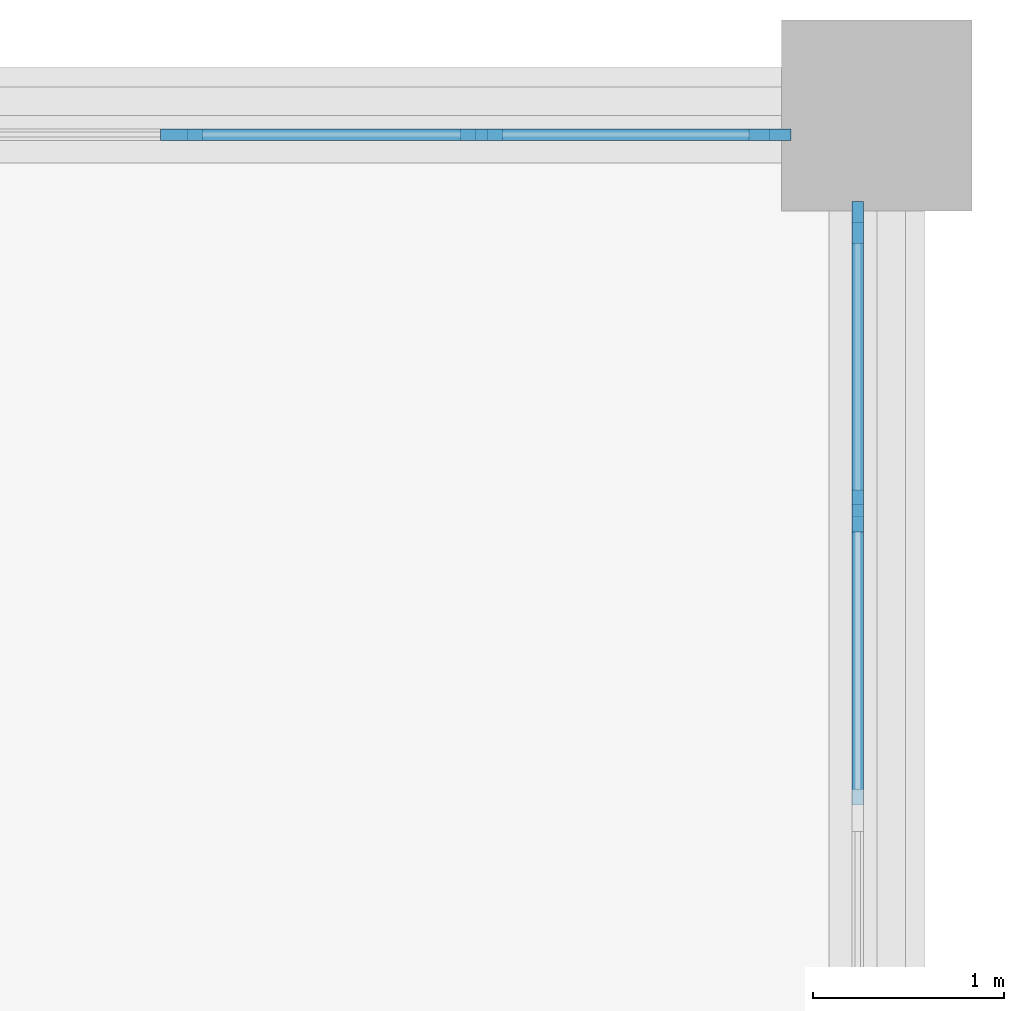
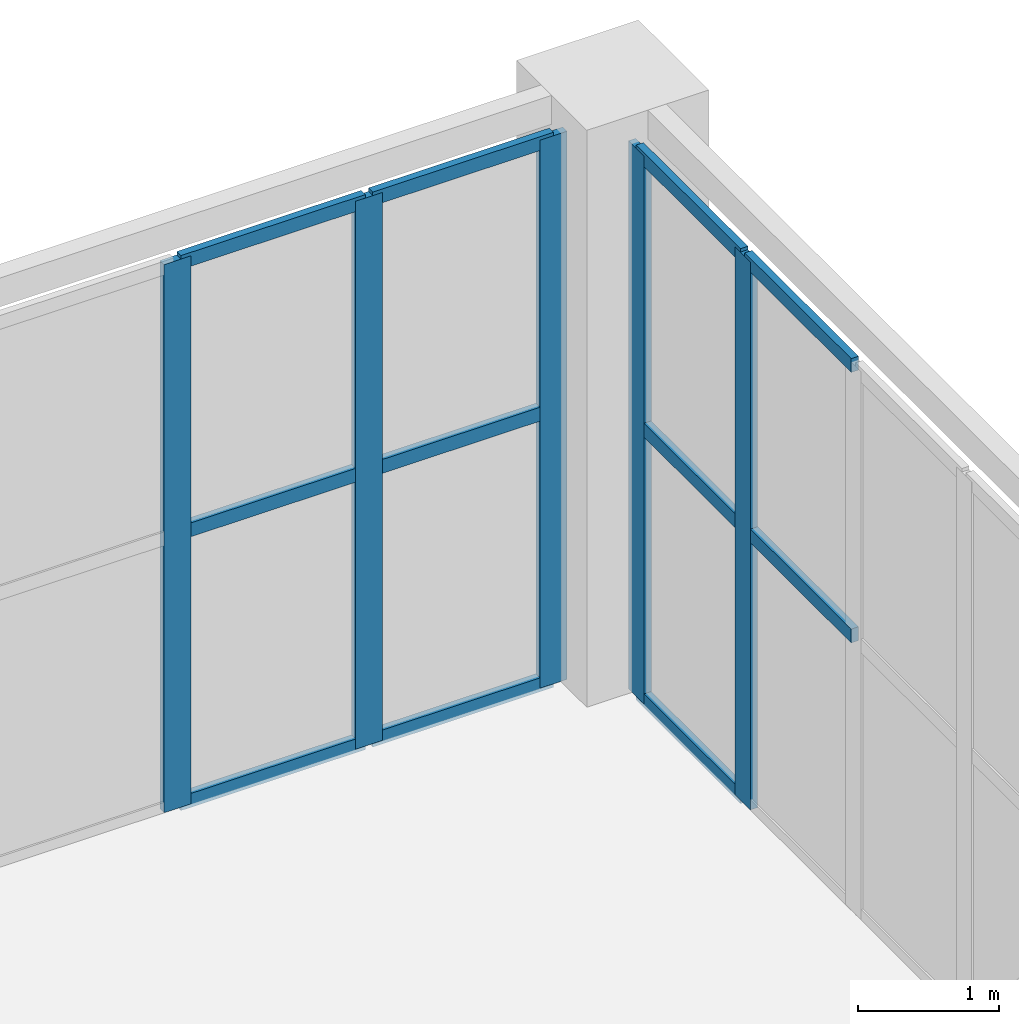
# One storey, part 41 of 69: 16 members, 2 elements without a shape of their own.
"""IFC4 building model written with IfcOpenShell, lengths in metres."""

from ifc_helpers import new_model, si_unit, direction, frame, origin, origin_2d, place, context, subcontext, project, spatial, rectangle, extrude, material, layer, layer_set, material_profile, profile_set, type_object, element, aggregate, save


model = new_model("IFC4")

# Units and contexts
model_context = context("Model", 3, precision=1e-05, world=origin(), true_north=direction((0.0, 1.0)))
body_context = subcontext(model_context, "Body", "Model", "MODEL_VIEW")
ifc_project = project(units=[si_unit("LENGTHUNIT", "METRE"), si_unit("AREAUNIT", "SQUARE_METRE"), si_unit("VOLUMEUNIT", "CUBIC_METRE"), si_unit("PLANEANGLEUNIT", "RADIAN"), si_unit("MASSUNIT", "GRAM", prefix="KILO")], contexts=[model_context])

# Site, building, storey
site_placement = place(None, origin())
site = spatial("IfcSite", under=ifc_project, at=site_placement, CompositionType="ELEMENT")
building_placement = place(site_placement, origin())
building = spatial("IfcBuilding", under=site, at=building_placement, Name="Lilac Gate Convention Centre", CompositionType="ELEMENT")
storey_placement = place(building_placement, frame((0.0, 0.0, 12.0)))
storey = spatial("IfcBuildingStorey", under=building, at=storey_placement, Name="L02", CompositionType="ELEMENT", Elevation=12.0)

# Curtain wall, members
ifc_material_1 = material(Name="Aluminium framed double glazing", Category="aluminium")
ifc_layer = layer(ifc_material_1, 0.199951171875)
ifc_layer_set = layer_set([ifc_layer], Name="Aluminium framed double glazing")
curtain_wall_type = type_object("IfcCurtainWallType", Name="Unitised curtain wall 1500", PredefinedType="NOTDEFINED", material=ifc_layer_set)
curtain_wall_1_placement = place(storey_placement, origin())
curtain_wall_1 = element("IfcCurtainWall", 1, at=curtain_wall_1_placement, inside=storey, type_object=curtain_wall_type, Name="Curtain wall E L02 2", PredefinedType="NOTDEFINED")
ifc_material_2 = material(Name="Aluminium alloy 6063", Category="aluminium")
ifc_material_profile_1 = material_profile(ifc_material_2, rectangle(XDim=0.06005859375, YDim=0.219970703125, at=origin_2d()), Name="Curtain wall mullion 60 x 220")
ifc_profile_set_1 = profile_set([ifc_material_profile_1], Name="Aluminium alloy 6063")
member_type_1 = type_object("IfcMemberType", Name="Curtain wall mullion 60 x 220", PredefinedType="MULLION", material=ifc_profile_set_1)
member_1_placement = place(storey_placement, frame((89.89990234375, 243.928466796875, 0.0), z_axis=(0.0, 0.0, 1.0), x_axis=(-1.0, 0.0, 0.0)))
member_1 = element("IfcMember", 2, at=member_1_placement, type_object=member_type_1, Name="CW mullion 7", PredefinedType="MULLION", context=body_context, shape_type="SweptSolid", body=[
    extrude(rectangle(XDim=0.06005859375, YDim=0.219970703125, at=origin_2d()), origin(), (0.0, 0.0, 1.0), 4.75),
])
member_2_placement = place(storey_placement, frame((89.89990234375, 245.43994140625, 0.0), z_axis=(0.0, 0.0, 1.0), x_axis=(-1.0, 0.0, 0.0)))
member_2 = element("IfcMember", 3, at=member_2_placement, type_object=member_type_1, Name="CW mullion 8", PredefinedType="MULLION", context=body_context, shape_type="SweptSolid", body=[
    extrude(rectangle(XDim=0.06005859375, YDim=0.219970703125, at=origin_2d()), origin(), (0.0, 0.0, 1.0), 4.75),
])

curtain_wall_2_placement = place(storey_placement, origin())
curtain_wall_2 = element("IfcCurtainWall", 4, at=curtain_wall_2_placement, inside=storey, type_object=curtain_wall_type, Name="Curtain wall N L02 1", PredefinedType="NOTDEFINED")
member_3_placement = place(storey_placement, frame((89.43994140625, 245.89990234375, 0.0), z_axis=(0.0, 0.0, 1.0), x_axis=(0.0, -1.0, 0.0)))
member_3 = element("IfcMember", 5, at=member_3_placement, type_object=member_type_1, Name="CW mullion 1", PredefinedType="MULLION", context=body_context, shape_type="SweptSolid", body=[
    extrude(rectangle(XDim=0.06005859375, YDim=0.219970703125, at=origin_2d()), origin(), (0.0, 0.0, 1.0), 4.75),
])
member_4_placement = place(storey_placement, frame((87.928466796875, 245.89990234375, 0.0), z_axis=(0.0, 0.0, 1.0), x_axis=(0.0, -1.0, 0.0)))
member_4 = element("IfcMember", 6, at=member_4_placement, type_object=member_type_1, Name="CW mullion 2", PredefinedType="MULLION", context=body_context, shape_type="SweptSolid", body=[
    extrude(rectangle(XDim=0.06005859375, YDim=0.219970703125, at=origin_2d()), origin(), (0.0, 0.0, 1.0), 4.75),
])
member_5_placement = place(storey_placement, frame((86.357177734375, 245.89990234375, 0.0), z_axis=(0.0, 0.0, 1.0), x_axis=(0.0, -1.0, 0.0)))
member_5 = element("IfcMember", 7, at=member_5_placement, type_object=member_type_1, Name="CW mullion 3", PredefinedType="MULLION", context=body_context, shape_type="SweptSolid", body=[
    extrude(rectangle(XDim=0.06005859375, YDim=0.219970703125, at=origin_2d()), origin(), (0.0, 0.0, 1.0), 4.75),
])

# Member
ifc_material_profile_2 = material_profile(ifc_material_2, rectangle(XDim=0.06005859375, YDim=0.1201171875, at=origin_2d()), Name="Curtain wall transom 60 x 120")
ifc_profile_set_2 = profile_set([ifc_material_profile_2], Name="Aluminium alloy 6063")
member_type_2 = type_object("IfcMemberType", Name="Curtain wall transom 60 x 120", PredefinedType="USERDEFINED", material=ifc_profile_set_2)
member_6_placement = place(storey_placement, frame((89.89990234375, 242.38720703125, 2.375), z_axis=(0.0, 1.0, 0.0), x_axis=(-1.0, 0.0, 0.0)))
member_6 = element("IfcMember", 8, at=member_6_placement, type_object=member_type_2, Name="CW transom 6.2", ObjectType="TRANSOM", PredefinedType="USERDEFINED", context=body_context, shape_type="SweptSolid", body=[
    extrude(rectangle(XDim=0.06005859375, YDim=0.1201171875, at=origin_2d()), origin(), (0.0, 0.0, 1.0), 1.511474609375),
])

member_7_placement = place(storey_placement, frame((89.89990234375, 242.38720703125, 4.719970703125), z_axis=(0.0, 1.0, 0.0), x_axis=(-1.0, 0.0, 0.0)))
member_7 = element("IfcMember", 9, at=member_7_placement, type_object=member_type_2, Name="CW transom 6.3", ObjectType="TRANSOM", PredefinedType="USERDEFINED", context=body_context, shape_type="SweptSolid", body=[
    extrude(rectangle(XDim=0.06005859375, YDim=0.1201171875, at=origin_2d()), origin(), (0.0, 0.0, 1.0), 1.511474609375),
])

member_8_placement = place(storey_placement, frame((89.89990234375, 243.95849609375, 0.030029296875), z_axis=(0.0, 1.0, 0.0), x_axis=(-1.0, 0.0, 0.0)))
member_8 = element("IfcMember", 10, at=member_8_placement, type_object=member_type_2, Name="CW transom 7.1", ObjectType="TRANSOM", PredefinedType="USERDEFINED", context=body_context, shape_type="SweptSolid", body=[
    extrude(rectangle(XDim=0.06005859375, YDim=0.1201171875, at=origin_2d()), origin(), (0.0, 0.0, 1.0), 1.4814453125),
])

member_9_placement = place(storey_placement, frame((89.89990234375, 243.95849609375, 2.375), z_axis=(0.0, 1.0, 0.0), x_axis=(-1.0, 0.0, 0.0)))
member_9 = element("IfcMember", 11, at=member_9_placement, type_object=member_type_2, Name="CW transom 7.2", ObjectType="TRANSOM", PredefinedType="USERDEFINED", context=body_context, shape_type="SweptSolid", body=[
    extrude(rectangle(XDim=0.06005859375, YDim=0.1201171875, at=origin_2d()), origin(), (0.0, 0.0, 1.0), 1.4814453125),
])

member_10_placement = place(storey_placement, frame((89.89990234375, 243.95849609375, 4.719970703125), z_axis=(0.0, 1.0, 0.0), x_axis=(-1.0, 0.0, 0.0)))
member_10 = element("IfcMember", 12, at=member_10_placement, type_object=member_type_2, Name="CW transom 7.3", ObjectType="TRANSOM", PredefinedType="USERDEFINED", context=body_context, shape_type="SweptSolid", body=[
    extrude(rectangle(XDim=0.06005859375, YDim=0.1201171875, at=origin_2d()), origin(), (0.0, 0.0, 1.0), 1.4814453125),
])

aggregate(curtain_wall_1, [member_1, member_2, member_6, member_7, member_8, member_9, member_10])

member_11_placement = place(storey_placement, frame((89.43994140625, 245.89990234375, 0.030029296875), z_axis=(-1.0, 0.0, 0.0), x_axis=(0.0, -1.0, 0.0)))
member_11 = element("IfcMember", 13, at=member_11_placement, type_object=member_type_2, Name="CW transom 1.1", ObjectType="TRANSOM", PredefinedType="USERDEFINED", context=body_context, shape_type="SweptSolid", body=[
    extrude(rectangle(XDim=0.06005859375, YDim=0.1201171875, at=origin_2d()), origin(), (0.0, 0.0, 1.0), 1.4814453125),
])

member_12_placement = place(storey_placement, frame((89.43994140625, 245.89990234375, 2.375), z_axis=(-1.0, 0.0, 0.0), x_axis=(0.0, -1.0, 0.0)))
member_12 = element("IfcMember", 14, at=member_12_placement, type_object=member_type_2, Name="CW transom 1.2", ObjectType="TRANSOM", PredefinedType="USERDEFINED", context=body_context, shape_type="SweptSolid", body=[
    extrude(rectangle(XDim=0.06005859375, YDim=0.1201171875, at=origin_2d()), origin(), (0.0, 0.0, 1.0), 1.4814453125),
])

member_13_placement = place(storey_placement, frame((89.43994140625, 245.89990234375, 4.719970703125), z_axis=(-1.0, 0.0, 0.0), x_axis=(0.0, -1.0, 0.0)))
member_13 = element("IfcMember", 15, at=member_13_placement, type_object=member_type_2, Name="CW transom 1.3", ObjectType="TRANSOM", PredefinedType="USERDEFINED", context=body_context, shape_type="SweptSolid", body=[
    extrude(rectangle(XDim=0.06005859375, YDim=0.1201171875, at=origin_2d()), origin(), (0.0, 0.0, 1.0), 1.4814453125),
])

member_14_placement = place(storey_placement, frame((87.898681640625, 245.89990234375, 0.030029296875), z_axis=(-1.0, 0.0, 0.0), x_axis=(0.0, -1.0, 0.0)))
member_14 = element("IfcMember", 16, at=member_14_placement, type_object=member_type_2, Name="CW transom 2.1", ObjectType="TRANSOM", PredefinedType="USERDEFINED", context=body_context, shape_type="SweptSolid", body=[
    extrude(rectangle(XDim=0.06005859375, YDim=0.1201171875, at=origin_2d()), origin(), (0.0, 0.0, 1.0), 1.511474609375),
])

member_15_placement = place(storey_placement, frame((87.898681640625, 245.89990234375, 2.375), z_axis=(-1.0, 0.0, 0.0), x_axis=(0.0, -1.0, 0.0)))
member_15 = element("IfcMember", 17, at=member_15_placement, type_object=member_type_2, Name="CW transom 2.2", ObjectType="TRANSOM", PredefinedType="USERDEFINED", context=body_context, shape_type="SweptSolid", body=[
    extrude(rectangle(XDim=0.06005859375, YDim=0.1201171875, at=origin_2d()), origin(), (0.0, 0.0, 1.0), 1.511474609375),
])

member_16_placement = place(storey_placement, frame((87.898681640625, 245.89990234375, 4.719970703125), z_axis=(-1.0, 0.0, 0.0), x_axis=(0.0, -1.0, 0.0)))
member_16 = element("IfcMember", 18, at=member_16_placement, type_object=member_type_2, Name="CW transom 2.3", ObjectType="TRANSOM", PredefinedType="USERDEFINED", context=body_context, shape_type="SweptSolid", body=[
    extrude(rectangle(XDim=0.06005859375, YDim=0.1201171875, at=origin_2d()), origin(), (0.0, 0.0, 1.0), 1.511474609375),
])

aggregate(curtain_wall_2, [member_3, member_4, member_5, member_11, member_12, member_13, member_14, member_15, member_16])

save(model, "model.ifc")
